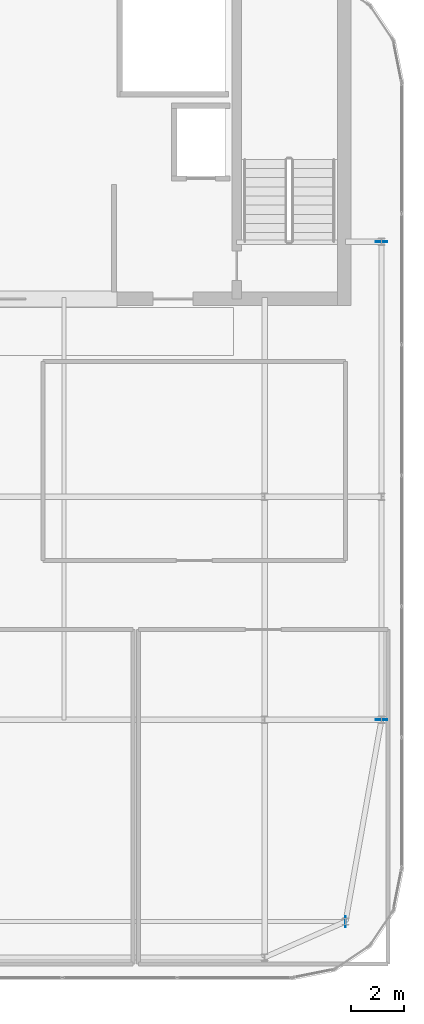
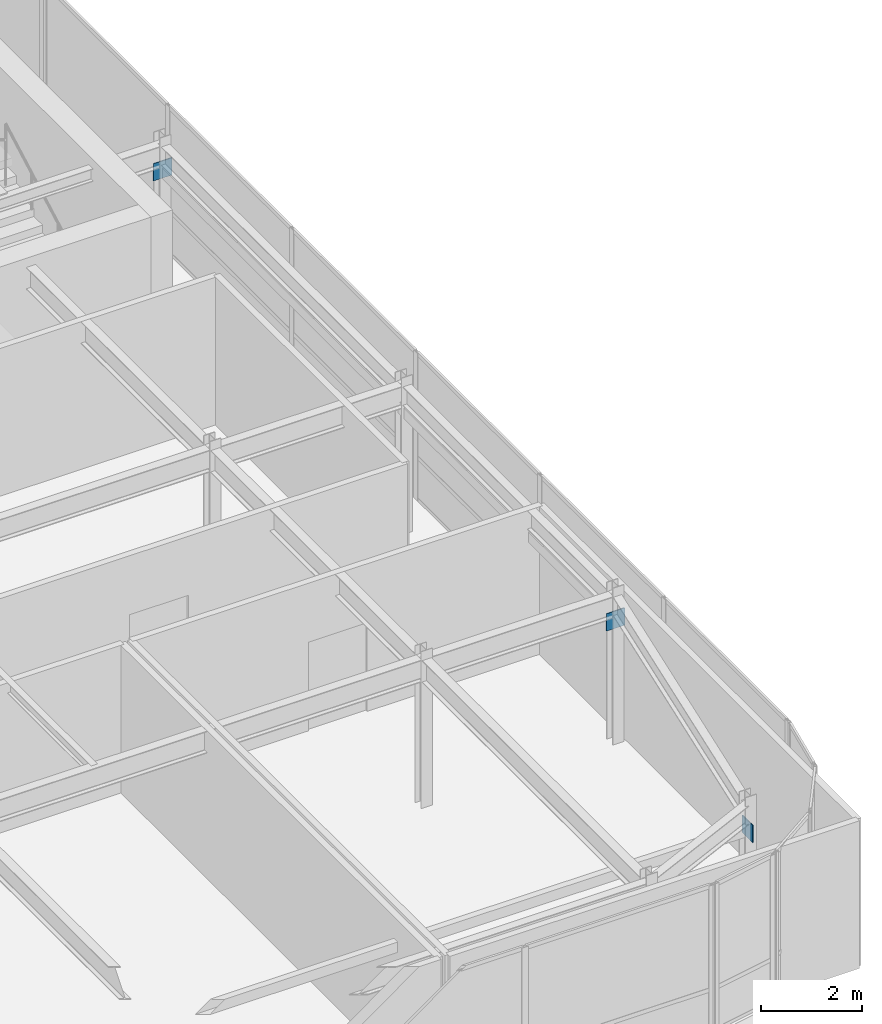
# One storey, part 32 of 36: 3 plates.
"""IFC4 building model written with IfcOpenShell, lengths in metres."""

from ifc_helpers import new_model, si_unit, direction, frame, origin, origin_2d, place, context, subcontext, project, spatial, rectangle, extrude, source, transform, mapped, material, layer, layer_set, type_object, type_shapes, element, save


model = new_model("IFC4")

# Units and contexts
model_context = context("Model", 3, precision=1e-05, world=origin(), true_north=direction((0.0, 1.0)))
body_context = subcontext(model_context, "Body", "Model", "MODEL_VIEW")
ifc_project = project(units=[si_unit("LENGTHUNIT", "METRE"), si_unit("AREAUNIT", "SQUARE_METRE"), si_unit("VOLUMEUNIT", "CUBIC_METRE"), si_unit("PLANEANGLEUNIT", "RADIAN"), si_unit("MASSUNIT", "GRAM", prefix="KILO")], contexts=[model_context])

# Site, building, storey
site_placement = place(None, origin())
site = spatial("IfcSite", under=ifc_project, at=site_placement, CompositionType="ELEMENT")
building_placement = place(site_placement, origin())
building = spatial("IfcBuilding", under=site, at=building_placement, Name="Tolvann Quenvar Hotel", CompositionType="ELEMENT")
storey_placement = place(building_placement, frame((0.0, 0.0, 306.14990234375)))
storey = spatial("IfcBuildingStorey", under=building, at=storey_placement, Name="L81", CompositionType="ELEMENT", Elevation=306.14990234375)

# Plates
ifc_material = material(Name="Steel Grade 350", Category="steel")
ifc_layer = layer(ifc_material, 0.02490234375)
ifc_layer_set = layer_set([ifc_layer], Name="Steel Grade 350")
plate_type = type_object("IfcPlateType", Name="PLT_ENDCAP_25", PredefinedType="SHEET", material=ifc_layer_set)
shared_shape_1 = source(origin(), body_context, "Body", "SweptSolid", [
    extrude(rectangle(XDim=0.02490234375, YDim=0.419921875, at=origin_2d()), origin(), (0.0, 0.0, 1.0), 0.419921875),
])
plate_placement = place(storey_placement, frame((35.800048828125, 8.39990234375, 2.72021484375), z_axis=(0.0, 0.0, 1.0), x_axis=(1.0, 0.0, 0.0)))
element("IfcPlate", 1, at=plate_placement, inside=storey, type_object=plate_type, Name="Crown Ring End Cap Plate EC-1 (L81-1-2)", PredefinedType="SHEET", context=body_context, shape_type="MappedRepresentation", body=[
    mapped(shared_shape_1, transform((0.0, 0.0, 0.0), x_axis=(1.0, 0.0, 0.0), y_axis=(0.0, 1.0, 0.0), z_axis=(0.0, 0.0, 1.0), scale=1.0)),
])
shared_shape_2 = source(origin(), body_context, "Body", "SweptSolid", [
    extrude(rectangle(XDim=0.419921875, YDim=0.02490234375, at=origin_2d()), origin(), (0.0, 0.0, 1.0), 0.419921875),
])
type_shapes(plate_type, [shared_shape_1, shared_shape_2])
for number, where, z_axis, x_axis, name in (
    (2, (37.14990234375, 16.0, 2.72021484375), (0.0, 0.0, 1.0), (1.0, 0.0, 0.0), "Crown Ring End Cap Plate EC-1 (L81-3-1)"),
    (3, (37.14990234375, 34.0, 2.72021484375), (0.0, 0.0, 1.0), (1.0, 0.0, 0.0), "Crown Ring End Cap Plate EC-1 (L81-3-2)"),
):
    element("IfcPlate", number, at=place(storey_placement, frame(where, z_axis=z_axis, x_axis=x_axis)), inside=storey, type_object=plate_type, Name=name, PredefinedType="SHEET", context=body_context, shape_type="MappedRepresentation", body=[
        mapped(shared_shape_2, transform((0.0, 0.0, 0.0), x_axis=(1.0, 0.0, 0.0), y_axis=(0.0, 1.0, 0.0), z_axis=(0.0, 0.0, 1.0), scale=1.0)),
    ])

save(model, "model.ifc")
